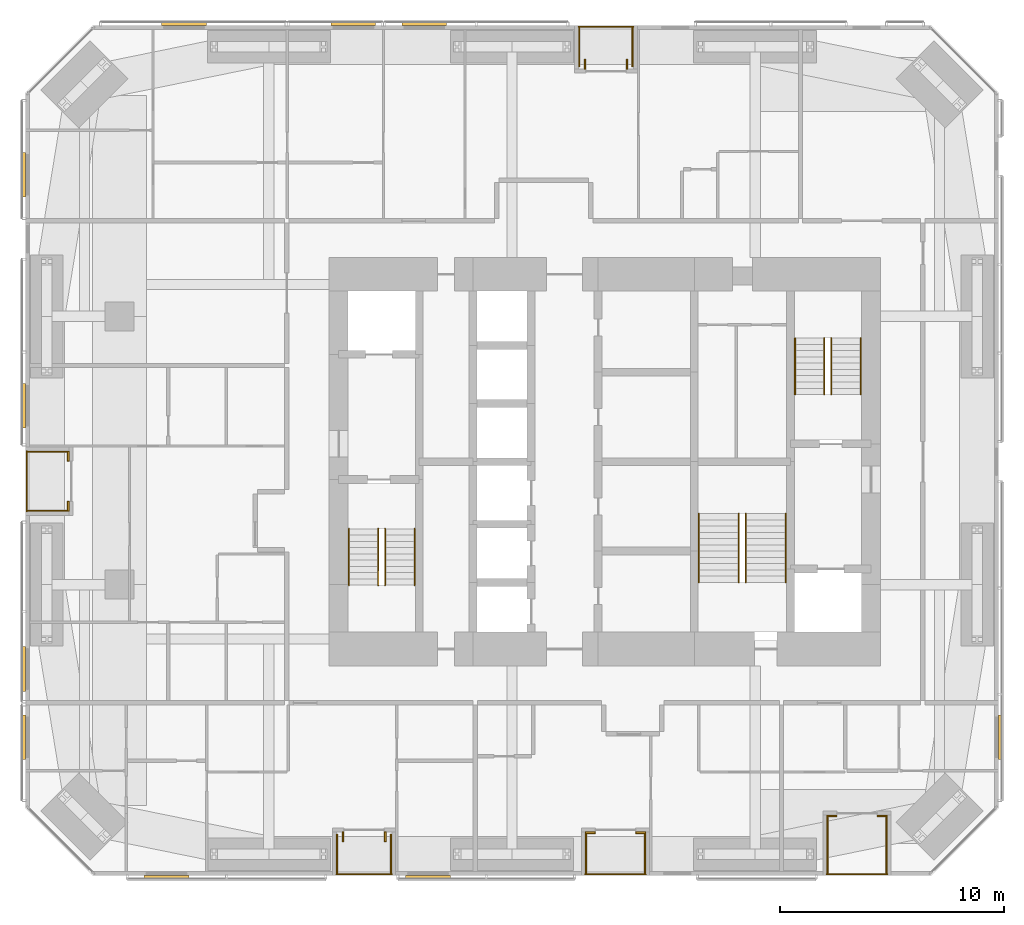
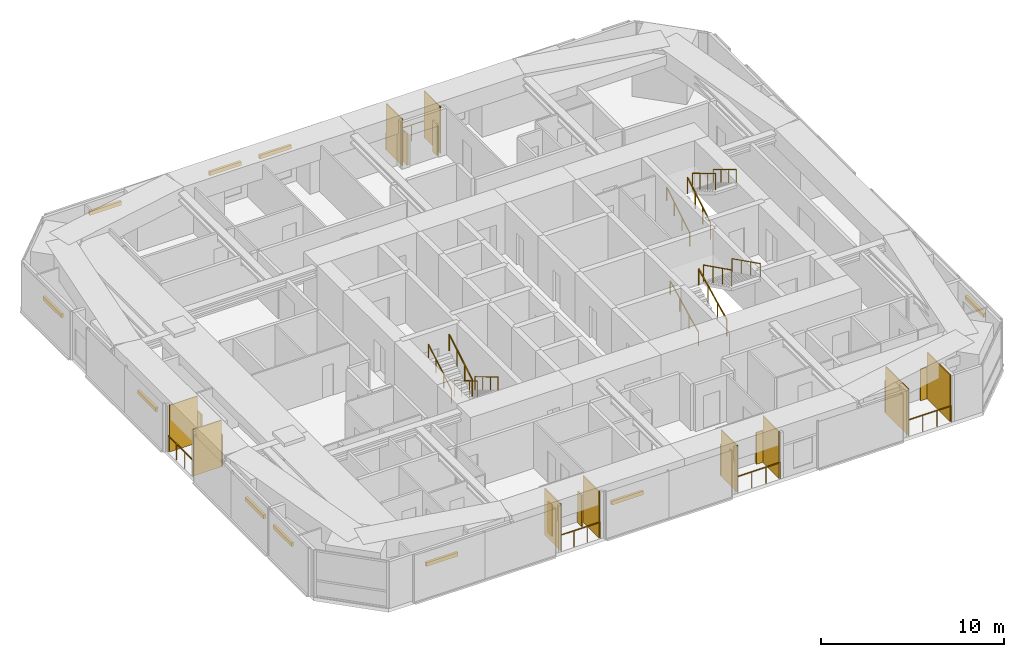
# One storey, part 23 of 23: 30 shading devices, 17 railings.
"""IFC4 building model written with IfcOpenShell, lengths in metres."""

import ifcopenshell
import ifcopenshell.guid

model = None  # the IFC model being written
_history = None  # IfcOwnerHistory: only IFC2X3 demands one
_inside = {}  # id of a spatial element -> (the spatial element, [elements in it])
_under = {}  # id of a project, library or spatial element -> (it, [spatial elements below it])
_declared = {}  # id of a project -> (the project, [libraries it declares])
_typed = {}  # id of a type object -> (the type object, [elements of that type])
_made_of = {}  # id of a material, layer set ... -> (it, [elements and type objects made of it])


def new_model(schema):
    """Start an empty IFC model of exactly this schema.

    Asked for "IFC4X3", IfcOpenShell would pick the latest addendum, in which some entities
    have other attributes; the version numbers below select the first issue.
    IFC2X3 requires an IfcOwnerHistory on every rooted entity: one is made here for all.
    """
    global model, _history
    if schema == "IFC4X3":
        model = ifcopenshell.file(schema_version=(4, 3, 0, 0))
    else:
        model = ifcopenshell.file(schema=schema)
    _inside.clear()
    _under.clear()
    _declared.clear()
    _typed.clear()
    _made_of.clear()
    _history = None
    if model.schema == "IFC2X3":
        org = make("IfcOrganization", Name="unknown")
        user = make(
            "IfcPersonAndOrganization",
            ThePerson=make("IfcPerson", FamilyName="unknown"),
            TheOrganization=org,
        )
        app = make(
            "IfcApplication",
            ApplicationDeveloper=org,
            Version="unknown",
            ApplicationFullName="unknown",
            ApplicationIdentifier="unknown",
        )
        _history = make(
            "IfcOwnerHistory",
            OwningUser=user,
            OwningApplication=app,
            ChangeAction="ADDED",
            CreationDate=0,
        )
    return model


def make(cls, **values):
    """One entity of the class cls with the attributes given. An attribute that is None is left unset."""
    return model.create_entity(
        cls, **{name: value for name, value in values.items() if value is not None}
    )


def rooted(cls, **values):
    """An entity with a GlobalId (a new one), such as an element, a storey or a relation."""
    return make(cls, GlobalId=ifcopenshell.guid.new(), OwnerHistory=_history, **values)


def si_unit(unit_type, name, prefix=None):
    """IfcSIUnit, for example si_unit("LENGTHUNIT", "METRE", prefix="MILLI")."""
    return make("IfcSIUnit", UnitType=unit_type, Prefix=prefix, Name=name)


def assignment(units):
    """IfcUnitAssignment: the units of a project."""
    return None if units is None else make("IfcUnitAssignment", Units=units)


def point(xyz):
    """IfcCartesianPoint."""
    return None if xyz is None else make("IfcCartesianPoint", Coordinates=xyz)


def direction(xyz):
    """IfcDirection."""
    return None if xyz is None else make("IfcDirection", DirectionRatios=xyz)


def frame(location, z_axis=None, x_axis=None):
    """IfcAxis2Placement3D, a coordinate frame: its origin and axes. An axis left out is left unset."""
    return make(
        "IfcAxis2Placement3D",
        Location=point(location),
        Axis=direction(z_axis),
        RefDirection=direction(x_axis),
    )


def frame_2d(location, x_axis=None):
    """IfcAxis2Placement2D, a coordinate frame in the plane: its origin and x axis."""
    return make(
        "IfcAxis2Placement2D", Location=point(location), RefDirection=direction(x_axis)
    )


def origin():
    """The frame at (0, 0, 0) with its axes left unset."""
    return frame((0.0, 0.0, 0.0))


def origin_2d():
    """The frame at (0, 0) in the plane with its x axis left unset."""
    return frame_2d((0.0, 0.0))


def place(relative_to, where):
    """IfcLocalPlacement: puts the frame where relative to a parent placement (None: the world)."""
    return make(
        "IfcLocalPlacement", PlacementRelTo=relative_to, RelativePlacement=where
    )


def context(
    kind, dimensions, precision=None, world=None, true_north=None, identifier=None
):
    """IfcGeometricRepresentationContext, for example the 3D "Model" context."""
    return make(
        "IfcGeometricRepresentationContext",
        ContextIdentifier=identifier,
        ContextType=kind,
        CoordinateSpaceDimension=dimensions,
        Precision=precision,
        WorldCoordinateSystem=world,
        TrueNorth=true_north,
    )


def subcontext(parent, identifier, kind, view, scale=None):
    """IfcGeometricRepresentationSubContext, for example "Body" below "Model"."""
    return make(
        "IfcGeometricRepresentationSubContext",
        ContextIdentifier=identifier,
        ContextType=kind,
        ParentContext=parent,
        TargetScale=scale,
        TargetView=view,
    )


def project(units=None, contexts=None):
    """IfcProject with its units and contexts."""
    return rooted(
        "IfcProject",
        Name="project",
        RepresentationContexts=contexts,
        UnitsInContext=assignment(units),
    )


def spatial(cls, under=None, at=None, **own):
    """A site, building, storey or space (cls), placed at a placement, below another one or the project."""
    s = rooted(cls, ObjectPlacement=at, **own)
    if under is not None:
        _under.setdefault(under.id(), (under, []))[1].append(s)
    return s


def profile(cls, at=None, kind="AREA", **sizes):
    """A parametric profile (cls). Its sizes go by their IFC names, for example OverallWidth=200.0."""
    return make(cls, ProfileType=kind, Position=at, **sizes)


def rectangle(**sizes):
    """IfcRectangleProfileDef."""
    return profile("IfcRectangleProfileDef", **sizes)


def circle(**sizes):
    """IfcCircleProfileDef."""
    return profile("IfcCircleProfileDef", **sizes)


def extrude(swept, where, along, depth):
    """IfcExtrudedAreaSolid: the profile swept, set in the frame where, extruded along a direction by depth."""
    return make(
        "IfcExtrudedAreaSolid",
        SweptArea=swept,
        Position=where,
        ExtrudedDirection=direction(along),
        Depth=depth,
    )


def shape(context_of_items, identifier, shape_type, items):
    """IfcShapeRepresentation: the items that make up one representation, for example the "Body"."""
    return make(
        "IfcShapeRepresentation",
        ContextOfItems=context_of_items,
        RepresentationIdentifier=identifier,
        RepresentationType=shape_type,
        Items=items,
    )


def material(Name=None, Category=None):
    """IfcMaterial."""
    return make("IfcMaterial", Name=Name, Category=Category)


def layer(
    of_material, thickness, ventilated=None, Name=None, Category=None, Priority=None
):
    """IfcMaterialLayer: one layer of a wall or slab, of a material (None: an air gap)."""
    return make(
        "IfcMaterialLayer",
        Material=of_material,
        LayerThickness=thickness,
        IsVentilated=ventilated,
        Name=Name,
        Category=Category,
        Priority=Priority,
    )


def layer_set(layers, Name=None):
    """IfcMaterialLayerSet."""
    return make("IfcMaterialLayerSet", MaterialLayers=layers, LayerSetName=Name)


def constituent(of_material, Name=None, Category=None, fraction=None):
    """IfcMaterialConstituent: one of the materials an element consists of."""
    return make(
        "IfcMaterialConstituent",
        Name=Name,
        Material=of_material,
        Fraction=fraction,
        Category=Category,
    )


def constituent_set(constituents=None, Name=None):
    """IfcMaterialConstituentSet."""
    return make(
        "IfcMaterialConstituentSet", Name=Name, MaterialConstituents=constituents
    )


def made_of(thing, what):
    """Note that an element or type object is made of a material, layer set ...; save() writes the relation."""
    if what is not None:
        _made_of.setdefault(what.id(), (what, []))[1].append(thing)
    return thing


def type_object(cls, material=None, **own):
    """A type object (cls), such as IfcWallType, which elements share."""
    return made_of(rooted(cls, **own), material)


def element(
    cls,
    number,
    at=None,
    inside=None,
    cuts=None,
    type_object=None,
    material=None,
    context=None,
    identifier="Body",
    shape_type=None,
    held_by="IfcProductDefinitionShape",
    body=None,
    shapes=None,
    **own,
):
    """One element of the class cls, such as IfcWall. Its Tag is "e" and its number.

    at: its placement. inside: the storey or other place that contains it. cuts: it is an
    opening in that element (IfcRelVoidsElement). A single representation is given by context,
    identifier, shape_type and body (its items); several are given by shapes. held_by: the class
    of the entity that holds the representations. save() writes the other relations.
    """
    e = rooted(cls, Tag="e%d" % number, ObjectPlacement=at, **own)
    if body is not None:
        shapes = [shape(context, identifier, shape_type, body)]
    if shapes is not None:
        e.Representation = make(held_by, Representations=shapes)
    if inside is not None:
        _inside.setdefault(inside.id(), (inside, []))[1].append(e)
    if cuts is not None:
        rooted(
            "IfcRelVoidsElement", RelatingBuildingElement=cuts, RelatedOpeningElement=e
        )
    if type_object is not None:
        _typed.setdefault(type_object.id(), (type_object, []))[1].append(e)
    return made_of(e, material)


def aggregate(whole, parts):
    """IfcRelAggregates: a whole, such as a stair, and the parts it consists of."""
    return rooted("IfcRelAggregates", RelatingObject=whole, RelatedObjects=parts)


def save(model, path):
    """Write the relations noted so far, then the file.

    IfcRelAggregates (storeys below a building ...), IfcRelContainedInSpatialStructure (elements
    in a storey), IfcRelDefinesByType, IfcRelAssociatesMaterial and IfcRelDeclares: one each for
    every whole, place, type object, material and project.
    """
    for whole, parts in _under.values():
        aggregate(whole, parts)
    for where, things in _inside.values():
        rooted(
            "IfcRelContainedInSpatialStructure",
            RelatedElements=things,
            RelatingStructure=where,
        )
    for kind, things in _typed.values():
        rooted("IfcRelDefinesByType", RelatedObjects=things, RelatingType=kind)
    for what, things in _made_of.values():
        rooted("IfcRelAssociatesMaterial", RelatedObjects=things, RelatingMaterial=what)
    for by, libraries in _declared.values():
        rooted("IfcRelDeclares", RelatingContext=by, RelatedDefinitions=libraries)
    model.write(path)


model = new_model("IFC4")

# Units and contexts
model_context = context("Model", 3, precision=1e-05, world=origin(), true_north=direction((0.0, 1.0)))
body_context = subcontext(model_context, "Body", "Model", "MODEL_VIEW")
ifc_project = project(units=[si_unit("LENGTHUNIT", "METRE"), si_unit("AREAUNIT", "SQUARE_METRE"), si_unit("VOLUMEUNIT", "CUBIC_METRE"), si_unit("PLANEANGLEUNIT", "RADIAN"), si_unit("MASSUNIT", "GRAM", prefix="KILO")], contexts=[model_context])

# Site, building, storey
site_placement = place(None, origin())
site = spatial("IfcSite", under=ifc_project, at=site_placement, CompositionType="ELEMENT")
building_placement = place(site_placement, origin())
building = spatial("IfcBuilding", under=site, at=building_placement, Name="Jalousie Tower", CompositionType="ELEMENT")
storey_placement = place(building_placement, frame((0.0, 0.0, 104.85009765625)))
storey = spatial("IfcBuildingStorey", under=building, at=storey_placement, Name="L28", CompositionType="ELEMENT", Elevation=104.85009765625)

# Shading devices
ifc_material_1 = material(Name="Aluminium impact-rated louvred storm shutter", Category="aluminium")
shading_device_type_1 = type_object("IfcShadingDeviceType", Name="BI-FOLD STORM SHUTTER 900x2100", PredefinedType="SHUTTER", material=ifc_material_1)
for number, where, z_axis, x_axis, name in (
    (1, (20.197509765625, 1.72509765625, -0.000244140625), (0.0, 0.0, 1.0), (0.0, 1.0, 0.0), "Loggia storm shutter L28"),
    (2, (22.077392578125, 1.72509765625, -0.000244140625), (0.0, 0.0, 1.0), (0.0, 1.0, 0.0), "Loggia storm shutter L28"),
    (3, (31.25, 1.909912109375, -0.000244140625), (0.0, 0.0, 1.0), (1.0, 0.0, 0.0), "Loggia storm shutter L28"),
    (4, (33.5, 1.909912109375, -0.000244140625), (0.0, 0.0, 1.0), (1.0, 0.0, 0.0), "Loggia storm shutter L28"),
    (5, (42.050048828125, 2.659912109375, -0.000244140625), (0.0, 0.0, 1.0), (1.0, 0.0, 0.0), "Loggia storm shutter L28"),
    (6, (44.300048828125, 2.659912109375, -0.000244140625), (0.0, 0.0, 1.0), (1.0, 0.0, 0.0), "Loggia storm shutter L28"),
    (7, (32.890625, 36.27490234375, -0.000244140625), (0.0, 0.0, 1.0), (0.0, -1.0, 0.0), "Loggia storm shutter L28"),
    (8, (31.010498046875, 36.27490234375, -0.000244140625), (0.0, 0.0, 1.0), (0.0, -1.0, 0.0), "Loggia storm shutter L28"),
    (9, (7.909912109375, 18.75, -0.000244140625), (0.0, 0.0, 1.0), (0.0, -1.0, 0.0), "Loggia storm shutter L28"),
    (10, (7.909912109375, 16.5, -0.000244140625), (0.0, 0.0, 1.0), (0.0, -1.0, 0.0), "Loggia storm shutter L28"),
):
    element("IfcShadingDevice", number, at=place(storey_placement, frame(where, z_axis=z_axis, x_axis=x_axis)), inside=storey, type_object=shading_device_type_1, Name=name, PredefinedType="SHUTTER", context=body_context, shape_type="SweptSolid", body=[
        extrude(rectangle(XDim=0.449951171875, YDim=0.080078125, at=origin_2d()), origin(), (0.0, 0.0, 1.0), 2.10009765625),
    ])

# Railings
ifc_material_2 = material(Name="Powder-coated aluminium fretwork", Category="aluminium")
railing_type_1 = type_object("IfcRailingType", Name="FRETWORK BALUSTRADE 1100", PredefinedType="BALUSTRADE", material=ifc_material_2)
railing_1_placement = place(storey_placement, frame((19.89990234375, 0.050048828125, 0.0)))
element("IfcRailing", 11, at=railing_1_placement, inside=storey, type_object=railing_type_1, Name="Loggia fretwork balustrade L28", PredefinedType="BALUSTRADE", context=body_context, shape_type="SweptSolid", body=[
    extrude(rectangle(XDim=0.048095703125, YDim=0.048095703125, at=origin_2d()), frame((0.0, 0.0, 1.076171875), z_axis=(1.0, 0.0, 0.0), x_axis=(0.0, 1.0, 0.0)), (0.0, 0.0, 1.0), 2.47509765625),
    extrude(circle(Radius=0.02099609375, at=origin_2d()), origin(), (0.0, 0.0, 1.0), 1.052001953125),
    extrude(circle(Radius=0.02099609375, at=origin_2d()), frame((0.824951171875, 0.0, 0.0)), (0.0, 0.0, 1.0), 1.052001953125),
    extrude(circle(Radius=0.02099609375, at=origin_2d()), frame((1.650146484375, 0.0, 0.0)), (0.0, 0.0, 1.0), 1.052001953125),
    extrude(circle(Radius=0.02099609375, at=origin_2d()), frame((2.47509765625, 0.0, 0.0)), (0.0, 0.0, 1.0), 1.052001953125),
])
railing_2_placement = place(storey_placement, frame((31.02490234375, 0.050048828125, 0.0)))
element("IfcRailing", 12, at=railing_2_placement, inside=storey, type_object=railing_type_1, Name="Loggia fretwork balustrade L28", PredefinedType="BALUSTRADE", context=body_context, shape_type="SweptSolid", body=[
    extrude(rectangle(XDim=0.048095703125, YDim=0.048095703125, at=origin_2d()), frame((0.0, 0.0, 1.076171875), z_axis=(1.0, 0.0, 0.0), x_axis=(0.0, 1.0, 0.0)), (0.0, 0.0, 1.0), 2.7001953125),
    extrude(circle(Radius=0.02099609375, at=origin_2d()), origin(), (0.0, 0.0, 1.0), 1.052001953125),
    extrude(circle(Radius=0.02099609375, at=origin_2d()), frame((0.900146484375, 0.0, 0.0)), (0.0, 0.0, 1.0), 1.052001953125),
    extrude(circle(Radius=0.02099609375, at=origin_2d()), frame((1.800048828125, 0.0, 0.0)), (0.0, 0.0, 1.0), 1.052001953125),
    extrude(circle(Radius=0.02099609375, at=origin_2d()), frame((2.7001953125, 0.0, 0.0)), (0.0, 0.0, 1.0), 1.052001953125),
])
railing_3_placement = place(storey_placement, frame((41.824951171875, 0.050048828125, 0.0)))
element("IfcRailing", 13, at=railing_3_placement, inside=storey, type_object=railing_type_1, Name="Loggia fretwork balustrade L28", PredefinedType="BALUSTRADE", context=body_context, shape_type="SweptSolid", body=[
    extrude(rectangle(XDim=0.048095703125, YDim=0.048095703125, at=origin_2d()), frame((0.0, 0.0, 1.076171875), z_axis=(1.0, 0.0, 0.0), x_axis=(0.0, 1.0, 0.0)), (0.0, 0.0, 1.0), 2.699951171875),
    extrude(circle(Radius=0.02099609375, at=origin_2d()), origin(), (0.0, 0.0, 1.0), 1.052001953125),
    extrude(circle(Radius=0.02099609375, at=origin_2d()), frame((0.89990234375, 0.0, 0.0)), (0.0, 0.0, 1.0), 1.052001953125),
    extrude(circle(Radius=0.02099609375, at=origin_2d()), frame((1.800048828125, 0.0, 0.0)), (0.0, 0.0, 1.0), 1.052001953125),
    extrude(circle(Radius=0.02099609375, at=origin_2d()), frame((2.699951171875, 0.0, 0.0)), (0.0, 0.0, 1.0), 1.052001953125),
])
railing_4_placement = place(storey_placement, frame((33.175537109375, 37.949951171875, 0.0)))
element("IfcRailing", 14, at=railing_4_placement, inside=storey, type_object=railing_type_1, Name="Loggia fretwork balustrade L28", PredefinedType="BALUSTRADE", context=body_context, shape_type="SweptSolid", body=[
    extrude(rectangle(XDim=0.048095703125, YDim=0.048095703125, at=origin_2d()), frame((0.0, 0.0, 1.076171875), z_axis=(-1.0, 0.0, 0.0), x_axis=(0.0, -1.0, 0.0)), (0.0, 0.0, 1.0), 2.449951171875),
    extrude(circle(Radius=0.02099609375, at=origin_2d()), origin(), (0.0, 0.0, 1.0), 1.052001953125),
    extrude(circle(Radius=0.02099609375, at=origin_2d()), frame((-0.816650390625, 0.0, 0.0)), (0.0, 0.0, 1.0), 1.052001953125),
    extrude(circle(Radius=0.02099609375, at=origin_2d()), frame((-1.63330078125, 0.0, 0.0)), (0.0, 0.0, 1.0), 1.052001953125),
    extrude(circle(Radius=0.02099609375, at=origin_2d()), frame((-2.449951171875, 0.0, 0.0)), (0.0, 0.0, 1.0), 1.052001953125),
])
railing_5_placement = place(storey_placement, frame((6.050048828125, 18.97509765625, 0.0)))
element("IfcRailing", 15, at=railing_5_placement, inside=storey, type_object=railing_type_1, Name="Loggia fretwork balustrade L28", PredefinedType="BALUSTRADE", context=body_context, shape_type="SweptSolid", body=[
    extrude(rectangle(XDim=0.048095703125, YDim=0.048095703125, at=origin_2d()), frame((0.0, 0.0, 1.076171875), z_axis=(0.0, -1.0, 0.0), x_axis=(1.0, 0.0, 0.0)), (0.0, 0.0, 1.0), 2.7001953125),
    extrude(circle(Radius=0.02099609375, at=origin_2d()), origin(), (0.0, 0.0, 1.0), 1.052001953125),
    extrude(circle(Radius=0.02099609375, at=origin_2d()), frame((0.0, -0.900146484375, 0.0)), (0.0, 0.0, 1.0), 1.052001953125),
    extrude(circle(Radius=0.02099609375, at=origin_2d()), frame((0.0, -1.800048828125, 0.0)), (0.0, 0.0, 1.0), 1.052001953125),
    extrude(circle(Radius=0.02099609375, at=origin_2d()), frame((0.0, -2.7001953125, 0.0)), (0.0, 0.0, 1.0), 1.052001953125),
])

# Shading devices
ifc_material_3 = material(Name="Powder-coated aluminium louvres", Category="aluminium")
ifc_layer = layer(ifc_material_3, 0.06005859375)
ifc_layer_set = layer_set([ifc_layer], Name="Powder-coated aluminium louvres")
shading_device_type_2 = type_object("IfcShadingDeviceType", Name="JALOUSIE LOUVRE SCREEN", PredefinedType="JALOUSIE", material=ifc_layer_set)
for number, where, z_axis, x_axis, name in (
    (16, (19.929931640625, 0.97509765625, 0.0), (0.0, 0.0, 1.0), (1.0, 0.0, 0.0), "Loggia jalousie louvre screen L28"),
    (17, (22.344970703125, 0.97509765625, 0.0), (0.0, 0.0, 1.0), (1.0, 0.0, 0.0), "Loggia jalousie louvre screen L28"),
    (18, (31.054931640625, 0.97509765625, 0.0), (0.0, 0.0, 1.0), (1.0, 0.0, 0.0), "Loggia jalousie louvre screen L28"),
    (19, (33.695068359375, 0.97509765625, 0.0), (0.0, 0.0, 1.0), (1.0, 0.0, 0.0), "Loggia jalousie louvre screen L28"),
):
    element("IfcShadingDevice", number, at=place(storey_placement, frame(where, z_axis=z_axis, x_axis=x_axis)), inside=storey, type_object=shading_device_type_2, Name=name, PredefinedType="JALOUSIE", context=body_context, shape_type="SweptSolid", body=[
        extrude(rectangle(XDim=0.06005859375, YDim=1.75, at=origin_2d()), origin(), (0.0, 0.0, 1.0), 3.110107421875),
    ])
for number, where, z_axis, x_axis, name in (
    (20, (41.85498046875, 1.35009765625, 0.0), (0.0, 0.0, 1.0), (1.0, 0.0, 0.0), "Loggia jalousie louvre screen L28"),
    (21, (44.4951171875, 1.35009765625, 0.0), (0.0, 0.0, 1.0), (1.0, 0.0, 0.0), "Loggia jalousie louvre screen L28"),
):
    element("IfcShadingDevice", number, at=place(storey_placement, frame(where, z_axis=z_axis, x_axis=x_axis)), inside=storey, type_object=shading_device_type_2, Name=name, PredefinedType="JALOUSIE", context=body_context, shape_type="SweptSolid", body=[
        extrude(rectangle(XDim=0.06005859375, YDim=2.5, at=origin_2d()), origin(), (0.0, 0.0, 1.0), 3.110107421875),
    ])
for number, where, z_axis, x_axis, name in (
    (22, (33.1455078125, 37.02490234375, 0.0), (0.0, 0.0, 1.0), (-1.0, 0.0, 0.0), "Loggia jalousie louvre screen L28"),
    (23, (30.755615234375, 37.02490234375, 0.0), (0.0, 0.0, 1.0), (-1.0, 0.0, 0.0), "Loggia jalousie louvre screen L28"),
    (24, (6.97509765625, 18.945068359375, 0.0), (0.0, 0.0, 1.0), (0.0, -1.0, 0.0), "Loggia jalousie louvre screen L28"),
    (25, (6.97509765625, 16.304931640625, 0.0), (0.0, 0.0, 1.0), (0.0, -1.0, 0.0), "Loggia jalousie louvre screen L28"),
):
    element("IfcShadingDevice", number, at=place(storey_placement, frame(where, z_axis=z_axis, x_axis=x_axis)), inside=storey, type_object=shading_device_type_2, Name=name, PredefinedType="JALOUSIE", context=body_context, shape_type="SweptSolid", body=[
        extrude(rectangle(XDim=0.06005859375, YDim=1.75, at=origin_2d()), origin(), (0.0, 0.0, 1.0), 3.110107421875),
    ])

# Railings
ifc_material_4 = material(Name="Steel ASTM A500 Grade C", Category="steel")
ifc_constituent_1 = constituent(ifc_material_4, Name="Body")
ifc_material_5 = material(Name="Hot-dip galvanised zinc coating")
ifc_constituent_2 = constituent(ifc_material_5, Name="Finish")
ifc_constituent_set_1 = constituent_set(constituents=[ifc_constituent_1, ifc_constituent_2])
railing_type_2 = type_object("IfcRailingType", Name="STAIR GUARD 1100", PredefinedType="GUARDRAIL", material=ifc_constituent_set_1)
railing_6_placement = place(storey_placement, frame((22.080078125, 15.49755859375, 0.16748046875)))
element("IfcRailing", 26, at=railing_6_placement, inside=storey, type_object=railing_type_2, Name="Exit stair A guard L28 flight 1", PredefinedType="GUARDRAIL", context=body_context, shape_type="SweptSolid", body=[
    extrude(rectangle(XDim=0.048095703125, YDim=0.048095703125, at=origin_2d()), frame((0.0, 0.0, 1.076171875), z_axis=(0.0, -0.858196387827, 0.513321497621), x_axis=(1.0, 0.0, 0.0)), (0.0, 0.0, 1.0), 2.9365234375),
    extrude(circle(Radius=0.02099609375, at=origin_2d()), origin(), (0.0, 0.0, 1.0), 1.052001953125),
    extrude(circle(Radius=0.02099609375, at=origin_2d()), frame((0.0, -0.840087890625, 0.50244140625)), (0.0, 0.0, 1.0), 1.052001953125),
    extrude(circle(Radius=0.02099609375, at=origin_2d()), frame((0.0, -1.679931640625, 1.0048828125)), (0.0, 0.0, 1.0), 1.052001953125),
    extrude(circle(Radius=0.02099609375, at=origin_2d()), frame((0.0, -2.52001953125, 1.50732421875)), (0.0, 0.0, 1.0), 1.052001953125),
])
railing_7_placement = place(storey_placement, frame((21.77001953125, 12.9775390625, 1.84228515625)))
element("IfcRailing", 27, at=railing_7_placement, inside=storey, type_object=railing_type_2, Name="Exit stair A guard L28 flight 2", PredefinedType="GUARDRAIL", context=body_context, shape_type="SweptSolid", body=[
    extrude(rectangle(XDim=0.048095703125, YDim=0.048095703125, at=origin_2d()), frame((0.0, 0.0, 1.076171875), z_axis=(0.0, 0.858159760407, 0.513382728203), x_axis=(-1.0, 0.0, 0.0)), (0.0, 0.0, 1.0), 2.9365234375),
    extrude(circle(Radius=0.02099609375, at=origin_2d()), origin(), (0.0, 0.0, 1.0), 1.052001953125),
    extrude(circle(Radius=0.02099609375, at=origin_2d()), frame((0.0, 0.840087890625, 0.50244140625)), (0.0, 0.0, 1.0), 1.052001953125),
    extrude(circle(Radius=0.02099609375, at=origin_2d()), frame((0.0, 1.679931640625, 1.005126953125)), (0.0, 0.0, 1.0), 1.052001953125),
    extrude(circle(Radius=0.02099609375, at=origin_2d()), frame((0.0, 2.52001953125, 1.507568359375)), (0.0, 0.0, 1.0), 1.052001953125),
])
railing_8_placement = place(storey_placement, frame((41.719970703125, 21.50244140625, 0.16748046875)))
element("IfcRailing", 28, at=railing_8_placement, inside=storey, type_object=railing_type_2, Name="Exit stair B guard L28 flight 1", PredefinedType="GUARDRAIL", context=body_context, shape_type="SweptSolid", body=[
    extrude(rectangle(XDim=0.048095703125, YDim=0.048095703125, at=origin_2d()), frame((0.0, 0.0, 1.076171875), z_axis=(0.0, 0.858196387827, 0.513321497621), x_axis=(-1.0, 0.0, 0.0)), (0.0, 0.0, 1.0), 2.9365234375),
    extrude(circle(Radius=0.02099609375, at=origin_2d()), origin(), (0.0, 0.0, 1.0), 1.052001953125),
    extrude(circle(Radius=0.02099609375, at=origin_2d()), frame((0.0, 0.840087890625, 0.50244140625)), (0.0, 0.0, 1.0), 1.052001953125),
    extrude(circle(Radius=0.02099609375, at=origin_2d()), frame((0.0, 1.679931640625, 1.0048828125)), (0.0, 0.0, 1.0), 1.052001953125),
    extrude(circle(Radius=0.02099609375, at=origin_2d()), frame((0.0, 2.52001953125, 1.50732421875)), (0.0, 0.0, 1.0), 1.052001953125),
])
railing_9_placement = place(storey_placement, frame((42.030029296875, 24.0224609375, 1.84228515625)))
element("IfcRailing", 29, at=railing_9_placement, inside=storey, type_object=railing_type_2, Name="Exit stair B guard L28 flight 2", PredefinedType="GUARDRAIL", context=body_context, shape_type="SweptSolid", body=[
    extrude(rectangle(XDim=0.048095703125, YDim=0.048095703125, at=origin_2d()), frame((0.0, 0.0, 1.076171875), z_axis=(0.0, -0.858159760407, 0.513382728203), x_axis=(1.0, 0.0, 0.0)), (0.0, 0.0, 1.0), 2.9365234375),
    extrude(circle(Radius=0.02099609375, at=origin_2d()), origin(), (0.0, 0.0, 1.0), 1.052001953125),
    extrude(circle(Radius=0.02099609375, at=origin_2d()), frame((0.0, -0.840087890625, 0.50244140625)), (0.0, 0.0, 1.0), 1.052001953125),
    extrude(circle(Radius=0.02099609375, at=origin_2d()), frame((0.0, -1.679931640625, 1.005126953125)), (0.0, 0.0, 1.0), 1.052001953125),
    extrude(circle(Radius=0.02099609375, at=origin_2d()), frame((0.0, -2.52001953125, 1.507568359375)), (0.0, 0.0, 1.0), 1.052001953125),
])
railing_10_placement = place(storey_placement, frame((37.89501953125, 13.097412109375, 0.139404296875)))
element("IfcRailing", 30, at=railing_10_placement, inside=storey, type_object=railing_type_2, Name="Exit stair C guard L28 flight 1", PredefinedType="GUARDRAIL", context=body_context, shape_type="SweptSolid", body=[
    extrude(rectangle(XDim=0.048095703125, YDim=0.048095703125, at=origin_2d()), frame((0.0, 0.0, 1.076171875), z_axis=(0.0, 0.894965676997, 0.446134998624), x_axis=(-1.0, 0.0, 0.0)), (0.0, 0.0, 1.0), 3.441650390625),
    extrude(circle(Radius=0.02099609375, at=origin_2d()), origin(), (0.0, 0.0, 1.0), 1.052001953125),
    extrude(circle(Radius=0.02099609375, at=origin_2d()), frame((0.0, 1.026611328125, 0.51171875)), (0.0, 0.0, 1.0), 1.052001953125),
    extrude(circle(Radius=0.02099609375, at=origin_2d()), frame((0.0, 2.053466796875, 1.023681640625)), (0.0, 0.0, 1.0), 1.052001953125),
    extrude(circle(Radius=0.02099609375, at=origin_2d()), frame((0.0, 3.080078125, 1.535400390625)), (0.0, 0.0, 1.0), 1.052001953125),
])
railing_11_placement = place(storey_placement, frame((38.205078125, 16.177490234375, 1.814453125)))
element("IfcRailing", 31, at=railing_11_placement, inside=storey, type_object=railing_type_2, Name="Exit stair C guard L28 flight 2", PredefinedType="GUARDRAIL", context=body_context, shape_type="SweptSolid", body=[
    extrude(rectangle(XDim=0.048095703125, YDim=0.048095703125, at=origin_2d()), frame((0.0, 0.0, 1.076171875), z_axis=(0.0, -0.894965676997, 0.446134998624), x_axis=(1.0, 0.0, 0.0)), (0.0, 0.0, 1.0), 3.441650390625),
    extrude(circle(Radius=0.02099609375, at=origin_2d()), origin(), (0.0, 0.0, 1.0), 1.052001953125),
    extrude(circle(Radius=0.02099609375, at=origin_2d()), frame((0.0, -1.026611328125, 0.51171875)), (0.0, 0.0, 1.0), 1.052001953125),
    extrude(circle(Radius=0.02099609375, at=origin_2d()), frame((0.0, -2.053466796875, 1.023681640625)), (0.0, 0.0, 1.0), 1.052001953125),
    extrude(circle(Radius=0.02099609375, at=origin_2d()), frame((0.0, -3.080078125, 1.535400390625)), (0.0, 0.0, 1.0), 1.052001953125),
])
ifc_material_6 = material(Name="Steel ASTM A500 Grade C", Category="steel")
ifc_constituent_3 = constituent(ifc_material_6, Name="Body")
ifc_material_7 = material(Name="Hot-dip galvanised zinc coating")
ifc_constituent_4 = constituent(ifc_material_7, Name="Finish")
ifc_constituent_set_2 = constituent_set(constituents=[ifc_constituent_3, ifc_constituent_4])
railing_type_3 = type_object("IfcRailingType", Name="STAIR HANDRAIL 900", PredefinedType="HANDRAIL", material=ifc_constituent_set_2)
railing_12_placement = place(storey_placement, frame((23.39501953125, 15.49755859375, 0.16748046875)))
element("IfcRailing", 32, at=railing_12_placement, inside=storey, type_object=railing_type_3, Name="Exit stair A handrail L28 flight 1", PredefinedType="HANDRAIL", context=body_context, shape_type="SweptSolid", body=[
    extrude(circle(Radius=0.02392578125, at=origin_2d()), frame((0.0, 0.0, 0.8759765625), z_axis=(0.0, -0.858196387827, 0.513321497621), x_axis=(1.0, 0.0, 0.0)), (0.0, 0.0, 1.0), 2.9365234375),
    extrude(circle(Radius=0.02099609375, at=origin_2d()), origin(), (0.0, 0.0, 1.0), 0.851806640625),
    extrude(circle(Radius=0.02099609375, at=origin_2d()), frame((0.0, -0.840087890625, 0.50244140625)), (0.0, 0.0, 1.0), 0.851806640625),
    extrude(circle(Radius=0.02099609375, at=origin_2d()), frame((0.0, -1.679931640625, 1.0048828125)), (0.0, 0.0, 1.0), 0.851806640625),
    extrude(circle(Radius=0.02099609375, at=origin_2d()), frame((0.0, -2.52001953125, 1.50732421875)), (0.0, 0.0, 1.0), 0.851806640625),
])
railing_13_placement = place(storey_placement, frame((20.455078125, 12.9775390625, 1.84228515625)))
element("IfcRailing", 33, at=railing_13_placement, inside=storey, type_object=railing_type_3, Name="Exit stair A handrail L28 flight 2", PredefinedType="HANDRAIL", context=body_context, shape_type="SweptSolid", body=[
    extrude(circle(Radius=0.02392578125, at=origin_2d()), frame((0.0, 0.0, 0.8759765625), z_axis=(0.0, 0.858159760407, 0.513382728203), x_axis=(-1.0, 0.0, 0.0)), (0.0, 0.0, 1.0), 2.9365234375),
    extrude(circle(Radius=0.02099609375, at=origin_2d()), origin(), (0.0, 0.0, 1.0), 0.851806640625),
    extrude(circle(Radius=0.02099609375, at=origin_2d()), frame((0.0, 0.840087890625, 0.50244140625)), (0.0, 0.0, 1.0), 0.851806640625),
    extrude(circle(Radius=0.02099609375, at=origin_2d()), frame((0.0, 1.679931640625, 1.005126953125)), (0.0, 0.0, 1.0), 0.851806640625),
    extrude(circle(Radius=0.02099609375, at=origin_2d()), frame((0.0, 2.52001953125, 1.507568359375)), (0.0, 0.0, 1.0), 0.851806640625),
])
railing_14_placement = place(storey_placement, frame((40.405029296875, 21.50244140625, 0.16748046875)))
element("IfcRailing", 34, at=railing_14_placement, inside=storey, type_object=railing_type_3, Name="Exit stair B handrail L28 flight 1", PredefinedType="HANDRAIL", context=body_context, shape_type="SweptSolid", body=[
    extrude(circle(Radius=0.02392578125, at=origin_2d()), frame((0.0, 0.0, 0.8759765625), z_axis=(0.0, 0.858196387827, 0.513321497621), x_axis=(-1.0, 0.0, 0.0)), (0.0, 0.0, 1.0), 2.9365234375),
    extrude(circle(Radius=0.02099609375, at=origin_2d()), origin(), (0.0, 0.0, 1.0), 0.851806640625),
    extrude(circle(Radius=0.02099609375, at=origin_2d()), frame((0.0, 0.840087890625, 0.50244140625)), (0.0, 0.0, 1.0), 0.851806640625),
    extrude(circle(Radius=0.02099609375, at=origin_2d()), frame((0.0, 1.679931640625, 1.0048828125)), (0.0, 0.0, 1.0), 0.851806640625),
    extrude(circle(Radius=0.02099609375, at=origin_2d()), frame((0.0, 2.52001953125, 1.50732421875)), (0.0, 0.0, 1.0), 0.851806640625),
])
railing_15_placement = place(storey_placement, frame((43.344970703125, 24.0224609375, 1.84228515625)))
element("IfcRailing", 35, at=railing_15_placement, inside=storey, type_object=railing_type_3, Name="Exit stair B handrail L28 flight 2", PredefinedType="HANDRAIL", context=body_context, shape_type="SweptSolid", body=[
    extrude(circle(Radius=0.02392578125, at=origin_2d()), frame((0.0, 0.0, 0.8759765625), z_axis=(0.0, -0.858159760407, 0.513382728203), x_axis=(1.0, 0.0, 0.0)), (0.0, 0.0, 1.0), 2.9365234375),
    extrude(circle(Radius=0.02099609375, at=origin_2d()), origin(), (0.0, 0.0, 1.0), 0.851806640625),
    extrude(circle(Radius=0.02099609375, at=origin_2d()), frame((0.0, -0.840087890625, 0.50244140625)), (0.0, 0.0, 1.0), 0.851806640625),
    extrude(circle(Radius=0.02099609375, at=origin_2d()), frame((0.0, -1.679931640625, 1.005126953125)), (0.0, 0.0, 1.0), 0.851806640625),
    extrude(circle(Radius=0.02099609375, at=origin_2d()), frame((0.0, -2.52001953125, 1.507568359375)), (0.0, 0.0, 1.0), 0.851806640625),
])
railing_16_placement = place(storey_placement, frame((36.10498046875, 13.097412109375, 0.139404296875)))
element("IfcRailing", 36, at=railing_16_placement, inside=storey, type_object=railing_type_3, Name="Exit stair C handrail L28 flight 1", PredefinedType="HANDRAIL", context=body_context, shape_type="SweptSolid", body=[
    extrude(circle(Radius=0.02392578125, at=origin_2d()), frame((0.0, 0.0, 0.8759765625), z_axis=(0.0, 0.894965676997, 0.446134998624), x_axis=(-1.0, 0.0, 0.0)), (0.0, 0.0, 1.0), 3.441650390625),
    extrude(circle(Radius=0.02099609375, at=origin_2d()), origin(), (0.0, 0.0, 1.0), 0.851806640625),
    extrude(circle(Radius=0.02099609375, at=origin_2d()), frame((0.0, 1.026611328125, 0.51171875)), (0.0, 0.0, 1.0), 0.851806640625),
    extrude(circle(Radius=0.02099609375, at=origin_2d()), frame((0.0, 2.053466796875, 1.023681640625)), (0.0, 0.0, 1.0), 0.851806640625),
    extrude(circle(Radius=0.02099609375, at=origin_2d()), frame((0.0, 3.080078125, 1.535400390625)), (0.0, 0.0, 1.0), 0.851806640625),
])
railing_17_placement = place(storey_placement, frame((39.9951171875, 16.177490234375, 1.814453125)))
element("IfcRailing", 37, at=railing_17_placement, inside=storey, type_object=railing_type_3, Name="Exit stair C handrail L28 flight 2", PredefinedType="HANDRAIL", context=body_context, shape_type="SweptSolid", body=[
    extrude(circle(Radius=0.02392578125, at=origin_2d()), frame((0.0, 0.0, 0.8759765625), z_axis=(0.0, -0.894965676997, 0.446134998624), x_axis=(1.0, 0.0, 0.0)), (0.0, 0.0, 1.0), 3.441650390625),
    extrude(circle(Radius=0.02099609375, at=origin_2d()), origin(), (0.0, 0.0, 1.0), 0.851806640625),
    extrude(circle(Radius=0.02099609375, at=origin_2d()), frame((0.0, -1.026611328125, 0.51171875)), (0.0, 0.0, 1.0), 0.851806640625),
    extrude(circle(Radius=0.02099609375, at=origin_2d()), frame((0.0, -2.053466796875, 1.023681640625)), (0.0, 0.0, 1.0), 0.851806640625),
    extrude(circle(Radius=0.02099609375, at=origin_2d()), frame((0.0, -3.080078125, 1.535400390625)), (0.0, 0.0, 1.0), 0.851806640625),
])

# Shading devices
ifc_material_8 = material(Name="Aluminium roller storm shutter", Category="aluminium")
shading_device_type_3 = type_object("IfcShadingDeviceType", Name="STORM SHUTTER HOUSING", PredefinedType="SHUTTER", material=ifc_material_8)
for number, where, z_axis, x_axis, name in (
    (38, (12.300048828125, -0.074951171875, 2.099853515625), (0.0, 0.0, 1.0), (1.0, 0.0, 0.0), "Storm shutter L28"),
    (39, (23.989990234375, -0.074951171875, 2.099853515625), (0.0, 0.0, 1.0), (1.0, 0.0, 0.0), "Storm shutter L28"),
    (40, (49.574951171875, 6.175537109375, 2.099853515625), (0.0, 0.0, 1.0), (0.0, 1.0, 0.0), "Storm shutter L28"),
    (41, (23.824951171875, 38.074951171875, 2.099853515625), (0.0, 0.0, 1.0), (-1.0, 0.0, 0.0), "Storm shutter L28"),
    (42, (20.657470703125, 38.074951171875, 2.099853515625), (0.0, 0.0, 1.0), (-1.0, 0.0, 0.0), "Storm shutter L28"),
    (43, (13.0849609375, 38.074951171875, 2.099853515625), (0.0, 0.0, 1.0), (-1.0, 0.0, 0.0), "Storm shutter L28"),
    (44, (5.925048828125, 31.324462890625, 2.099853515625), (0.0, 0.0, 1.0), (0.0, -1.0, 0.0), "Storm shutter L28"),
    (45, (5.925048828125, 21.0, 2.099853515625), (0.0, 0.0, 1.0), (0.0, -1.0, 0.0), "Storm shutter L28"),
    (46, (5.925048828125, 9.22509765625, 2.099853515625), (0.0, 0.0, 1.0), (0.0, -1.0, 0.0), "Storm shutter L28"),
    (47, (5.925048828125, 6.17529296875, 2.099853515625), (0.0, 0.0, 1.0), (0.0, -1.0, 0.0), "Storm shutter L28"),
):
    element("IfcShadingDevice", number, at=place(storey_placement, frame(where, z_axis=z_axis, x_axis=x_axis)), inside=storey, type_object=shading_device_type_3, Name=name, PredefinedType="SHUTTER", context=body_context, shape_type="SweptSolid", body=[
        extrude(rectangle(XDim=2.0, YDim=0.14990234375, at=origin_2d()), origin(), (0.0, 0.0, 1.0), 0.25),
    ])

save(model, "model.ifc")
